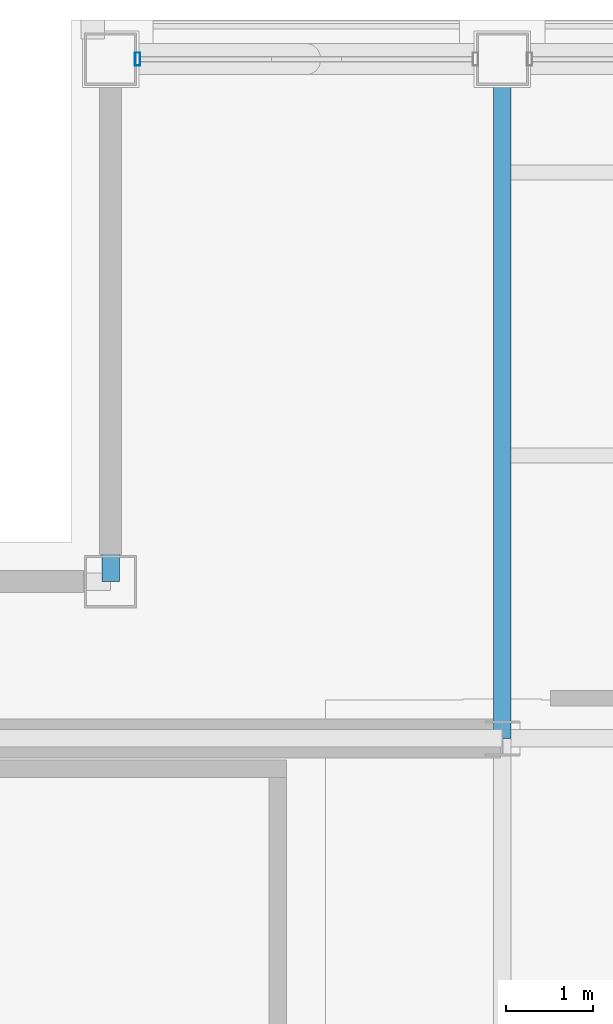
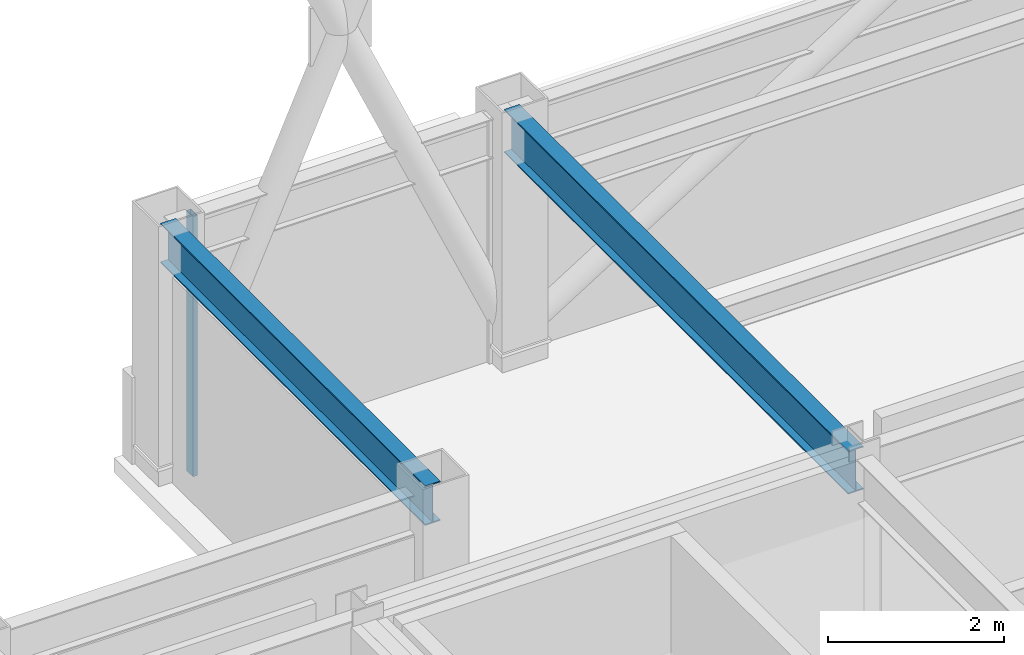
# One storey, part 17 of 27: 2 beams, 1 member, 1 element without a shape of its own.
"""IFC4 building model written with IfcOpenShell, lengths in metres."""

import ifcopenshell
import ifcopenshell.guid

model = None  # the IFC model being written
_history = None  # IfcOwnerHistory: only IFC2X3 demands one
_inside = {}  # id of a spatial element -> (the spatial element, [elements in it])
_under = {}  # id of a project, library or spatial element -> (it, [spatial elements below it])
_declared = {}  # id of a project -> (the project, [libraries it declares])
_typed = {}  # id of a type object -> (the type object, [elements of that type])
_made_of = {}  # id of a material, layer set ... -> (it, [elements and type objects made of it])


def new_model(schema):
    """Start an empty IFC model of exactly this schema.

    Asked for "IFC4X3", IfcOpenShell would pick the latest addendum, in which some entities
    have other attributes; the version numbers below select the first issue.
    IFC2X3 requires an IfcOwnerHistory on every rooted entity: one is made here for all.
    """
    global model, _history
    if schema == "IFC4X3":
        model = ifcopenshell.file(schema_version=(4, 3, 0, 0))
    else:
        model = ifcopenshell.file(schema=schema)
    _inside.clear()
    _under.clear()
    _declared.clear()
    _typed.clear()
    _made_of.clear()
    _history = None
    if model.schema == "IFC2X3":
        org = make("IfcOrganization", Name="unknown")
        user = make(
            "IfcPersonAndOrganization",
            ThePerson=make("IfcPerson", FamilyName="unknown"),
            TheOrganization=org,
        )
        app = make(
            "IfcApplication",
            ApplicationDeveloper=org,
            Version="unknown",
            ApplicationFullName="unknown",
            ApplicationIdentifier="unknown",
        )
        _history = make(
            "IfcOwnerHistory",
            OwningUser=user,
            OwningApplication=app,
            ChangeAction="ADDED",
            CreationDate=0,
        )
    return model


def make(cls, **values):
    """One entity of the class cls with the attributes given. An attribute that is None is left unset."""
    return model.create_entity(
        cls, **{name: value for name, value in values.items() if value is not None}
    )


def rooted(cls, **values):
    """An entity with a GlobalId (a new one), such as an element, a storey or a relation."""
    return make(cls, GlobalId=ifcopenshell.guid.new(), OwnerHistory=_history, **values)


def si_unit(unit_type, name, prefix=None):
    """IfcSIUnit, for example si_unit("LENGTHUNIT", "METRE", prefix="MILLI")."""
    return make("IfcSIUnit", UnitType=unit_type, Prefix=prefix, Name=name)


def assignment(units):
    """IfcUnitAssignment: the units of a project."""
    return None if units is None else make("IfcUnitAssignment", Units=units)


def point(xyz):
    """IfcCartesianPoint."""
    return None if xyz is None else make("IfcCartesianPoint", Coordinates=xyz)


def direction(xyz):
    """IfcDirection."""
    return None if xyz is None else make("IfcDirection", DirectionRatios=xyz)


def frame(location, z_axis=None, x_axis=None):
    """IfcAxis2Placement3D, a coordinate frame: its origin and axes. An axis left out is left unset."""
    return make(
        "IfcAxis2Placement3D",
        Location=point(location),
        Axis=direction(z_axis),
        RefDirection=direction(x_axis),
    )


def frame_2d(location, x_axis=None):
    """IfcAxis2Placement2D, a coordinate frame in the plane: its origin and x axis."""
    return make(
        "IfcAxis2Placement2D", Location=point(location), RefDirection=direction(x_axis)
    )


def origin():
    """The frame at (0, 0, 0) with its axes left unset."""
    return frame((0.0, 0.0, 0.0))


def origin_2d():
    """The frame at (0, 0) in the plane with its x axis left unset."""
    return frame_2d((0.0, 0.0))


def place(relative_to, where):
    """IfcLocalPlacement: puts the frame where relative to a parent placement (None: the world)."""
    return make(
        "IfcLocalPlacement", PlacementRelTo=relative_to, RelativePlacement=where
    )


def context(
    kind, dimensions, precision=None, world=None, true_north=None, identifier=None
):
    """IfcGeometricRepresentationContext, for example the 3D "Model" context."""
    return make(
        "IfcGeometricRepresentationContext",
        ContextIdentifier=identifier,
        ContextType=kind,
        CoordinateSpaceDimension=dimensions,
        Precision=precision,
        WorldCoordinateSystem=world,
        TrueNorth=true_north,
    )


def subcontext(parent, identifier, kind, view, scale=None):
    """IfcGeometricRepresentationSubContext, for example "Body" below "Model"."""
    return make(
        "IfcGeometricRepresentationSubContext",
        ContextIdentifier=identifier,
        ContextType=kind,
        ParentContext=parent,
        TargetScale=scale,
        TargetView=view,
    )


def project(units=None, contexts=None):
    """IfcProject with its units and contexts."""
    return rooted(
        "IfcProject",
        Name="project",
        RepresentationContexts=contexts,
        UnitsInContext=assignment(units),
    )


def spatial(cls, under=None, at=None, **own):
    """A site, building, storey or space (cls), placed at a placement, below another one or the project."""
    s = rooted(cls, ObjectPlacement=at, **own)
    if under is not None:
        _under.setdefault(under.id(), (under, []))[1].append(s)
    return s


def profile(cls, at=None, kind="AREA", **sizes):
    """A parametric profile (cls). Its sizes go by their IFC names, for example OverallWidth=200.0."""
    return make(cls, ProfileType=kind, Position=at, **sizes)


def hollow_rectangle(**sizes):
    """IfcRectangleHollowProfileDef."""
    return profile("IfcRectangleHollowProfileDef", **sizes)


def i_section(**sizes):
    """IfcIShapeProfileDef."""
    return profile("IfcIShapeProfileDef", **sizes)


def extrude(swept, where, along, depth):
    """IfcExtrudedAreaSolid: the profile swept, set in the frame where, extruded along a direction by depth."""
    return make(
        "IfcExtrudedAreaSolid",
        SweptArea=swept,
        Position=where,
        ExtrudedDirection=direction(along),
        Depth=depth,
    )


def shape(context_of_items, identifier, shape_type, items):
    """IfcShapeRepresentation: the items that make up one representation, for example the "Body"."""
    return make(
        "IfcShapeRepresentation",
        ContextOfItems=context_of_items,
        RepresentationIdentifier=identifier,
        RepresentationType=shape_type,
        Items=items,
    )


def material(Name=None, Category=None):
    """IfcMaterial."""
    return make("IfcMaterial", Name=Name, Category=Category)


def layer(
    of_material, thickness, ventilated=None, Name=None, Category=None, Priority=None
):
    """IfcMaterialLayer: one layer of a wall or slab, of a material (None: an air gap)."""
    return make(
        "IfcMaterialLayer",
        Material=of_material,
        LayerThickness=thickness,
        IsVentilated=ventilated,
        Name=Name,
        Category=Category,
        Priority=Priority,
    )


def layer_set(layers, Name=None):
    """IfcMaterialLayerSet."""
    return make("IfcMaterialLayerSet", MaterialLayers=layers, LayerSetName=Name)


def material_profile(
    of_material, cross_section, Name=None, Category=None, Priority=None
):
    """IfcMaterialProfile: a cross section and its material."""
    return make(
        "IfcMaterialProfile",
        Name=Name,
        Material=of_material,
        Profile=cross_section,
        Priority=Priority,
        Category=Category,
    )


def profile_set(profiles, Name=None, composite=None):
    """IfcMaterialProfileSet."""
    return make(
        "IfcMaterialProfileSet",
        Name=Name,
        MaterialProfiles=profiles,
        CompositeProfile=composite,
    )


def made_of(thing, what):
    """Note that an element or type object is made of a material, layer set ...; save() writes the relation."""
    if what is not None:
        _made_of.setdefault(what.id(), (what, []))[1].append(thing)
    return thing


def type_object(cls, material=None, **own):
    """A type object (cls), such as IfcWallType, which elements share."""
    return made_of(rooted(cls, **own), material)


def element(
    cls,
    number,
    at=None,
    inside=None,
    cuts=None,
    type_object=None,
    material=None,
    context=None,
    identifier="Body",
    shape_type=None,
    held_by="IfcProductDefinitionShape",
    body=None,
    shapes=None,
    **own,
):
    """One element of the class cls, such as IfcWall. Its Tag is "e" and its number.

    at: its placement. inside: the storey or other place that contains it. cuts: it is an
    opening in that element (IfcRelVoidsElement). A single representation is given by context,
    identifier, shape_type and body (its items); several are given by shapes. held_by: the class
    of the entity that holds the representations. save() writes the other relations.
    """
    e = rooted(cls, Tag="e%d" % number, ObjectPlacement=at, **own)
    if body is not None:
        shapes = [shape(context, identifier, shape_type, body)]
    if shapes is not None:
        e.Representation = make(held_by, Representations=shapes)
    if inside is not None:
        _inside.setdefault(inside.id(), (inside, []))[1].append(e)
    if cuts is not None:
        rooted(
            "IfcRelVoidsElement", RelatingBuildingElement=cuts, RelatedOpeningElement=e
        )
    if type_object is not None:
        _typed.setdefault(type_object.id(), (type_object, []))[1].append(e)
    return made_of(e, material)


def aggregate(whole, parts):
    """IfcRelAggregates: a whole, such as a stair, and the parts it consists of."""
    return rooted("IfcRelAggregates", RelatingObject=whole, RelatedObjects=parts)


def save(model, path):
    """Write the relations noted so far, then the file.

    IfcRelAggregates (storeys below a building ...), IfcRelContainedInSpatialStructure (elements
    in a storey), IfcRelDefinesByType, IfcRelAssociatesMaterial and IfcRelDeclares: one each for
    every whole, place, type object, material and project.
    """
    for whole, parts in _under.values():
        aggregate(whole, parts)
    for where, things in _inside.values():
        rooted(
            "IfcRelContainedInSpatialStructure",
            RelatedElements=things,
            RelatingStructure=where,
        )
    for kind, things in _typed.values():
        rooted("IfcRelDefinesByType", RelatedObjects=things, RelatingType=kind)
    for what, things in _made_of.values():
        rooted("IfcRelAssociatesMaterial", RelatedObjects=things, RelatingMaterial=what)
    for by, libraries in _declared.values():
        rooted("IfcRelDeclares", RelatingContext=by, RelatedDefinitions=libraries)
    model.write(path)


model = new_model("IFC4")

# Units and contexts
model_context = context("Model", 3, precision=1e-05, world=origin(), true_north=direction((0.0, 1.0)))
body_context = subcontext(model_context, "Body", "Model", "MODEL_VIEW")
ifc_project = project(units=[si_unit("LENGTHUNIT", "METRE"), si_unit("AREAUNIT", "SQUARE_METRE"), si_unit("VOLUMEUNIT", "CUBIC_METRE"), si_unit("PLANEANGLEUNIT", "RADIAN"), si_unit("MASSUNIT", "GRAM", prefix="KILO")], contexts=[model_context])

# Site, building, storey
site_placement = place(None, origin())
site = spatial("IfcSite", under=ifc_project, at=site_placement, CompositionType="ELEMENT")
building_placement = place(site_placement, origin())
building = spatial("IfcBuilding", under=site, at=building_placement, Name="Brelmoor Portico Tower", CompositionType="ELEMENT")
storey_placement = place(building_placement, frame((0.0, 0.0, 258.0)))
storey = spatial("IfcBuildingStorey", under=building, at=storey_placement, Name="L68", CompositionType="ELEMENT", Elevation=258.0)

# Beams
ifc_material_1 = material(Name="Steel Q355B", Category="steel")
ifc_material_profile_1 = material_profile(ifc_material_1, i_section(OverallWidth=0.199951171875, OverallDepth=0.60009765625, WebThickness=0.010986328125, FlangeThickness=0.01708984375, at=origin_2d()), Name="HN 600x200x11x17")
ifc_profile_set_1 = profile_set([ifc_material_profile_1], Name="Steel Q355B")
beam_type_1 = type_object("IfcBeamType", Name="BM-PG-600", PredefinedType="BEAM", material=ifc_profile_set_1)
beam_1_placement = place(storey_placement, frame((-8.050048828125, 9.75, 3.10009765625), z_axis=(0.0, 1.0, 0.0), x_axis=(-1.0, 0.0, 0.0)))
element("IfcBeam", 1, at=beam_1_placement, inside=storey, type_object=beam_type_1, Name="L68 Primary Floor Girder PG-05", PredefinedType="BEAM", context=body_context, shape_type="SweptSolid", body=[
    extrude(i_section(OverallWidth=0.199951171875, OverallDepth=0.60009765625, WebThickness=0.010986328125, FlangeThickness=0.01708984375, at=origin_2d()), origin(), (0.0, 0.0, 1.0), 7.800048828125),
])
ifc_material_profile_2 = material_profile(ifc_material_1, i_section(OverallWidth=0.199951171875, OverallDepth=0.550048828125, WebThickness=0.010009765625, FlangeThickness=0.01611328125, at=origin_2d()), Name="HN 550x200x10x16")
ifc_profile_set_2 = profile_set([ifc_material_profile_2], Name="Steel Q355B")
beam_type_2 = type_object("IfcBeamType", Name="BM-SP-550", PredefinedType="SPANDREL", material=ifc_profile_set_2)
beam_2_placement = place(storey_placement, frame((-12.550048828125, 11.550048828125, 3.125), z_axis=(0.0, 1.0, 0.0), x_axis=(-1.0, 0.0, 0.0)))
element("IfcBeam", 2, at=beam_2_placement, inside=storey, type_object=beam_type_2, Name="L68 Perimeter Spandrel Beam SP-15", PredefinedType="SPANDREL", context=body_context, shape_type="SweptSolid", body=[
    extrude(i_section(OverallWidth=0.199951171875, OverallDepth=0.550048828125, WebThickness=0.010009765625, FlangeThickness=0.01611328125, at=origin_2d()), origin(), (0.0, 0.0, 1.0), 6.0),
])

# Curtain wall, member
ifc_material_2 = material(Name="Anodised Aluminium Alloy 6063-T6", Category="aluminium")
ifc_layer = layer(ifc_material_2, 0.179931640625)
ifc_layer_set = layer_set([ifc_layer], Name="Anodised Aluminium Alloy 6063-T6")
curtain_wall_type = type_object("IfcCurtainWallType", Name="CW-TOWER-Z4-XB", PredefinedType="NOTDEFINED", material=ifc_layer_set)
curtain_wall_placement = place(storey_placement, origin())
curtain_wall = element("IfcCurtainWall", 3, at=curtain_wall_placement, inside=storey, type_object=curtain_wall_type, Name="L68 Curtain Wall CW-L68-02-1", PredefinedType="NOTDEFINED")
ifc_material_profile_3 = material_profile(ifc_material_2, hollow_rectangle(XDim=0.06005859375, YDim=0.14990234375, WallThickness=0.00390625, at=origin_2d()), Name="ALU MULLION 60x150")
ifc_profile_set_3 = profile_set([ifc_material_profile_3], Name="Anodised Aluminium Alloy 6063-T6")
member_type = type_object("IfcMemberType", Name="MB-CW-MULL-150", PredefinedType="MULLION", material=ifc_profile_set_3)
member_placement = place(storey_placement, frame((-12.239990234375, 17.550048828125, -0.199951171875), z_axis=(0.0, 0.0, 1.0), x_axis=(1.0, 0.0, 0.0)))
member = element("IfcMember", 4, at=member_placement, type_object=member_type, Name="CW-L68-02-1 Mullion 00", PredefinedType="MULLION", context=body_context, shape_type="SweptSolid", body=[
    extrude(hollow_rectangle(XDim=0.06005859375, YDim=0.14990234375, WallThickness=0.00390625, at=origin_2d()), origin(), (0.0, 0.0, 1.0), 3.599853515625),
])
aggregate(curtain_wall, [member])

save(model, "model.ifc")
